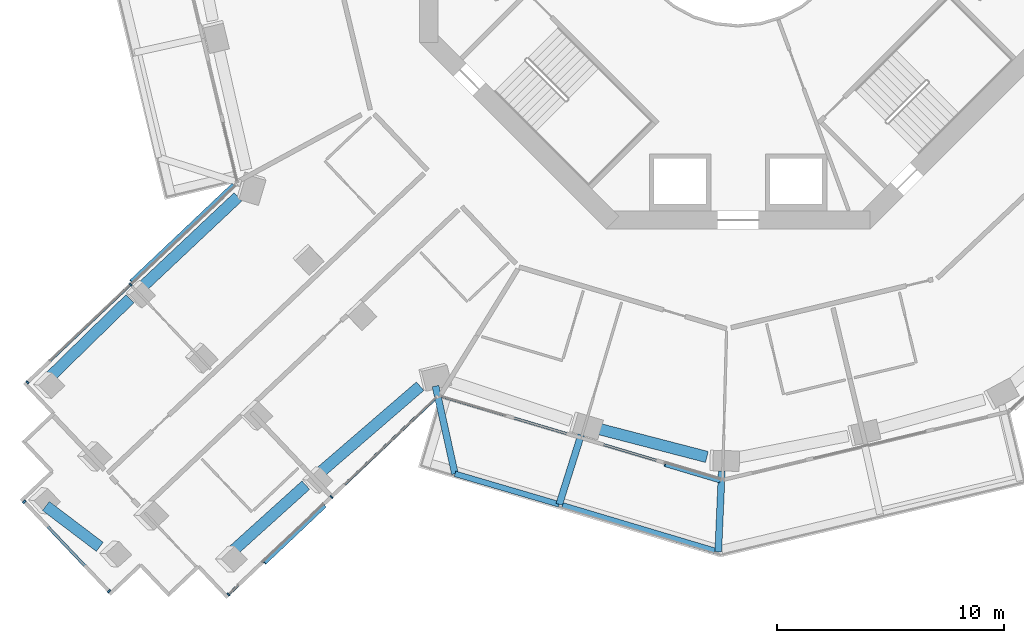
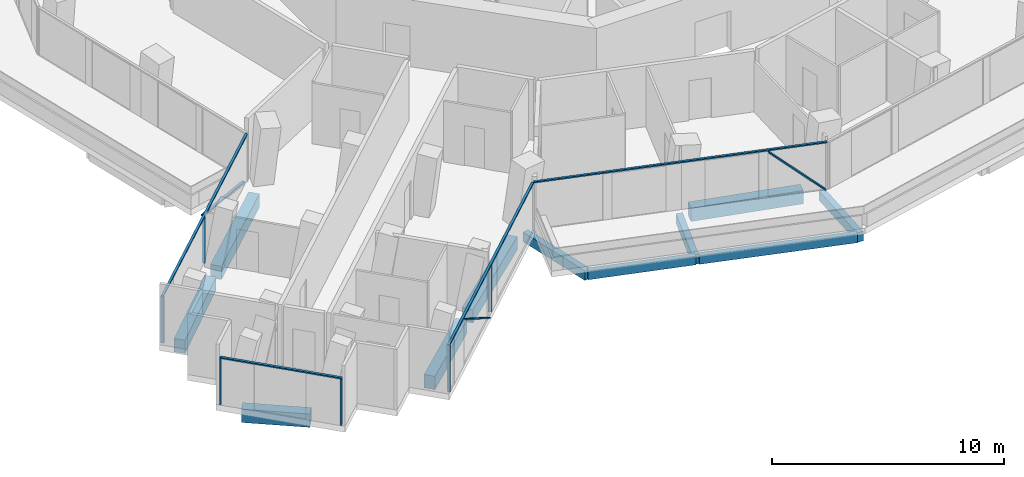
# One storey, part 2 of 27: 13 members, 11 beams, 4 elements without a shape of their own.
"""IFC4 building model written with IfcOpenShell, lengths in metres."""

from ifc_helpers import new_model, si_unit, direction, frame, origin, origin_2d, place, context, subcontext, project, spatial, rectangle, extrude, material, layer, layer_set, material_profile, profile_set, type_object, element, aggregate, save


model = new_model("IFC4")

# Units and contexts
model_context = context("Model", 3, precision=1e-05, world=origin(), true_north=direction((0.0, 1.0)))
body_context = subcontext(model_context, "Body", "Model", "MODEL_VIEW")
ifc_project = project(units=[si_unit("LENGTHUNIT", "METRE"), si_unit("AREAUNIT", "SQUARE_METRE"), si_unit("VOLUMEUNIT", "CUBIC_METRE"), si_unit("PLANEANGLEUNIT", "RADIAN"), si_unit("MASSUNIT", "GRAM", prefix="KILO")], contexts=[model_context])

# Site, building, storey
site_placement = place(None, origin())
site = spatial("IfcSite", under=ifc_project, at=site_placement, CompositionType="ELEMENT")
building_placement = place(site_placement, origin())
building = spatial("IfcBuilding", under=site, at=building_placement, Name="Verdalira Terraces Hotel", CompositionType="ELEMENT")
storey_placement = place(building_placement, frame((0.0, 0.0, 89.5)))
storey = spatial("IfcBuildingStorey", under=building, at=storey_placement, Name="L20", CompositionType="ELEMENT", Elevation=89.5)

# Beams
ifc_material_1 = material(Name="Concrete C40", Category="concrete")
ifc_material_profile_1 = material_profile(ifc_material_1, rectangle(XDim=0.300049, YDim=0.5, at=origin_2d()), Name="RC 300X500")
ifc_profile_set_1 = profile_set([ifc_material_profile_1], Name="Concrete C40")
beam_type_1 = type_object("IfcBeamType", Name="Balcony cantilever beam RC 300X500 C40", PredefinedType="BEAM", material=ifc_profile_set_1)
beam_1_placement = place(storey_placement, frame((-13.297607, -20.897949, -0.560059), z_axis=(0.216151576, -0.976359819, 0.0), x_axis=(0.976359819, 0.216151576, 0.0)))
element("IfcBeam", 1, at=beam_1_placement, inside=storey, type_object=beam_type_1, Name="Balcony cantilever beam R25-3", PredefinedType="BEAM", context=body_context, shape_type="SweptSolid", body=[
    extrude(rectangle(XDim=0.300049, YDim=0.5, at=origin_2d()), origin(), (0.0, 0.0, 1.0), 3.949707),
])
beam_2_placement = place(storey_placement, frame((-6.897705, -23.048096, -0.560059), z_axis=(-0.301062008, -0.953604566, 0.0), x_axis=(0.953604566, -0.301062008, 0.0)))
element("IfcBeam", 2, at=beam_2_placement, inside=storey, type_object=beam_type_1, Name="Balcony cantilever beam R25-4", PredefinedType="BEAM", context=body_context, shape_type="SweptSolid", body=[
    extrude(rectangle(XDim=0.300049, YDim=0.5, at=origin_2d()), origin(), (0.0, 0.0, 1.0), 3.200684),
])
beam_3_placement = place(storey_placement, frame((-0.714355, -24.63208, -0.560059), z_axis=(-0.04393171, -0.999034536, 0.0), x_axis=(0.999034536, -0.04393171, 0.0)))
element("IfcBeam", 3, at=beam_3_placement, inside=storey, type_object=beam_type_1, Name="Balcony cantilever beam R25-5", PredefinedType="BEAM", context=body_context, shape_type="SweptSolid", body=[
    extrude(rectangle(XDim=0.300049, YDim=0.5, at=origin_2d()), origin(), (0.0, 0.0, 1.0), 3.556641),
])
ifc_material_2 = material(Name="Concrete C40", Category="concrete")
ifc_material_profile_2 = material_profile(ifc_material_2, rectangle(XDim=0.25, YDim=0.449951, at=origin_2d()), Name="RC 250X450")
ifc_profile_set_2 = profile_set([ifc_material_profile_2], Name="Concrete C40")
beam_type_2 = type_object("IfcBeamType", Name="Balcony edge beam RC 250X450 C40", PredefinedType="BEAM", material=ifc_profile_set_2)
beam_4_placement = place(storey_placement, frame((-12.443848, -24.754395, -0.534912), z_axis=(0.959470437, -0.281809298, 0.0), x_axis=(0.281809298, 0.959470437, 0.0)))
element("IfcBeam", 4, at=beam_4_placement, inside=storey, type_object=beam_type_2, Name="Balcony edge beam R25-2", PredefinedType="BEAM", context=body_context, shape_type="SweptSolid", body=[
    extrude(rectangle(XDim=0.25, YDim=0.449951, at=origin_2d()), origin(), (0.0, 0.0, 1.0), 4.776123),
])
beam_5_placement = place(storey_placement, frame((-7.717529, -26.143311, -0.534912), z_axis=(0.958290278, -0.285796681, 0.0), x_axis=(0.285796681, 0.958290278, 0.0)))
element("IfcBeam", 5, at=beam_5_placement, inside=storey, type_object=beam_type_2, Name="Balcony edge beam R25-3", PredefinedType="BEAM", context=body_context, shape_type="SweptSolid", body=[
    extrude(rectangle(XDim=0.25, YDim=0.449951, at=origin_2d()), origin(), (0.0, 0.0, 1.0), 6.990234),
])

# Curtain wall, member
ifc_material_3 = material(Name="Clear glass", Category="glass")
ifc_layer_1 = layer(ifc_material_3, 0.14990234375)
ifc_layer_set_1 = layer_set([ifc_layer_1], Name="CW1 curtain wall")
curtain_wall_type_1 = type_object("IfcCurtainWallType", Name="CW1 curtain wall", PredefinedType="NOTDEFINED", material=ifc_layer_set_1)
curtain_wall_1_placement = place(storey_placement, origin())
curtain_wall_1 = element("IfcCurtainWall", 6, at=curtain_wall_1_placement, inside=storey, type_object=curtain_wall_type_1, Name="CW1 curtain wall L20 edge 25", PredefinedType="NOTDEFINED")
ifc_material_4 = material(Name="Terracotta frame", Category="masonry")
ifc_material_profile_3 = material_profile(ifc_material_4, rectangle(XDim=0.110107, YDim=0.064941, at=origin_2d()), Name="TR 65x110")
ifc_profile_set_3 = profile_set([ifc_material_profile_3], Name="Terracotta frame")
member_type_1 = type_object("IfcMemberType", Name="CW1 transom 65x110", PredefinedType="USERDEFINED", material=ifc_profile_set_3)
member_1_placement = place(storey_placement, frame((-13.123047, -21.327637, 2.45752), z_axis=(0.958519805, -0.285025936, 0.0), x_axis=(0.285025936, 0.958519805, 0.0)))
member_1 = element("IfcMember", 7, at=member_1_placement, type_object=member_type_1, Name="CW1 transom", ObjectType="TRANSOM", PredefinedType="USERDEFINED", context=body_context, shape_type="SweptSolid", body=[
    extrude(rectangle(XDim=0.110107, YDim=0.064941, at=origin_2d()), origin(), (0.0, 0.0, 1.0), 12.959717),
])

# Curtain wall, members
ifc_material_5 = material(Name="Clear glass", Category="glass")
ifc_layer_2 = layer(ifc_material_5, 0.14990234375)
ifc_layer_set_2 = layer_set([ifc_layer_2], Name="CW2 curtain wall")
curtain_wall_type_2 = type_object("IfcCurtainWallType", Name="CW2 curtain wall", PredefinedType="NOTDEFINED", material=ifc_layer_set_2)
curtain_wall_2_placement = place(storey_placement, origin())
curtain_wall_2 = element("IfcCurtainWall", 8, at=curtain_wall_2_placement, inside=storey, type_object=curtain_wall_type_2, Name="CW2 curtain wall L20 edge 14", PredefinedType="NOTDEFINED")
ifc_material_6 = material(Name="Terracotta frame", Category="masonry")
ifc_material_profile_4 = material_profile(ifc_material_6, rectangle(XDim=0.070068, YDim=0.149902, at=origin_2d()), Name="MU 70x150")
ifc_profile_set_4 = profile_set([ifc_material_profile_4], Name="Terracotta frame")
member_type_2 = type_object("IfcMemberType", Name="CW2 mullion 70x150", PredefinedType="MULLION", material=ifc_profile_set_4)
member_2_placement = place(storey_placement, frame((-26.702148, -16.4375, 0.0), z_axis=(0.0, 0.0, 1.0), x_axis=(-0.726094816, -0.687594588, 0.0)))
member_2 = element("IfcMember", 9, at=member_2_placement, type_object=member_type_2, Name="CW2 mullion", PredefinedType="MULLION", context=body_context, shape_type="SweptSolid", body=[
    extrude(rectangle(XDim=0.070068, YDim=0.149902, at=origin_2d()), origin(), (0.0, 0.0, 1.0), 2.425049),
])
member_3_placement = place(storey_placement, frame((-31.238281, -20.733398, 0.0), z_axis=(0.0, 0.0, 1.0), x_axis=(-0.726094816, -0.687594588, 0.0)))
member_3 = element("IfcMember", 10, at=member_3_placement, type_object=member_type_2, Name="CW2 mullion", PredefinedType="MULLION", context=body_context, shape_type="SweptSolid", body=[
    extrude(rectangle(XDim=0.070068, YDim=0.149902, at=origin_2d()), origin(), (0.0, 0.0, 1.0), 2.425049),
])

curtain_wall_3_placement = place(storey_placement, origin())
curtain_wall_3 = element("IfcCurtainWall", 11, at=curtain_wall_3_placement, inside=storey, type_object=curtain_wall_type_2, Name="CW2 curtain wall L20 edge 24", PredefinedType="NOTDEFINED")
member_4_placement = place(storey_placement, frame((-22.402832, -30.063721, 0.0), z_axis=(0.0, 0.0, 1.0), x_axis=(0.726094816, 0.687594588, 0.0)))
member_4 = element("IfcMember", 12, at=member_4_placement, type_object=member_type_2, Name="CW2 mullion", PredefinedType="MULLION", context=body_context, shape_type="SweptSolid", body=[
    extrude(rectangle(XDim=0.070068, YDim=0.149902, at=origin_2d()), origin(), (0.0, 0.0, 1.0), 2.425049),
])
member_5_placement = place(storey_placement, frame((-17.866699, -25.767822, 0.0), z_axis=(0.0, 0.0, 1.0), x_axis=(0.726094816, 0.687594588, 0.0)))
member_5 = element("IfcMember", 13, at=member_5_placement, type_object=member_type_2, Name="CW2 mullion", PredefinedType="MULLION", context=body_context, shape_type="SweptSolid", body=[
    extrude(rectangle(XDim=0.070068, YDim=0.149902, at=origin_2d()), origin(), (0.0, 0.0, 1.0), 2.425049),
])

# Member
ifc_material_7 = material(Name="Terracotta frame", Category="masonry")
ifc_material_profile_5 = material_profile(ifc_material_7, rectangle(XDim=0.11499, YDim=0.064941, at=origin_2d()), Name="TR 65x115")
ifc_profile_set_5 = profile_set([ifc_material_profile_5], Name="Terracotta frame")
member_type_3 = type_object("IfcMemberType", Name="CW2 transom 65x115", PredefinedType="USERDEFINED", material=ifc_profile_set_5)
member_6_placement = place(storey_placement, frame((-22.031738, -12.014648, 2.45752), z_axis=(-0.726084866, -0.687605095, 0.0), x_axis=(0.687605095, -0.726084866, 0.0)))
member_6 = element("IfcMember", 14, at=member_6_placement, type_object=member_type_3, Name="CW2 transom", ObjectType="TRANSOM", PredefinedType="USERDEFINED", context=body_context, shape_type="SweptSolid", body=[
    extrude(rectangle(XDim=0.11499, YDim=0.064941, at=origin_2d()), origin(), (0.0, 0.0, 1.0), 12.7146),
])

member_7_placement = place(storey_placement, frame((-22.428223, -30.087646, 2.45752), z_axis=(0.726093945, 0.687595509, 0.0), x_axis=(-0.687595509, 0.726093945, 0.0)))
member_7 = element("IfcMember", 15, at=member_7_placement, type_object=member_type_3, Name="CW2 transom", ObjectType="TRANSOM", PredefinedType="USERDEFINED", context=body_context, shape_type="SweptSolid", body=[
    extrude(rectangle(XDim=0.11499, YDim=0.064941, at=origin_2d()), origin(), (0.0, 0.0, 1.0), 12.714844),
])

# Curtain wall, members
ifc_material_8 = material(Name="Clear glass", Category="glass")
ifc_layer_3 = layer(ifc_material_8, 0.14990234375)
ifc_layer_set_3 = layer_set([ifc_layer_3], Name="CW3 curtain wall")
curtain_wall_type_3 = type_object("IfcCurtainWallType", Name="CW3 curtain wall", PredefinedType="NOTDEFINED", material=ifc_layer_set_3)
curtain_wall_4_placement = place(storey_placement, origin())
curtain_wall_4 = element("IfcCurtainWall", 16, at=curtain_wall_4_placement, inside=storey, type_object=curtain_wall_type_3, Name="CW3 curtain wall L20 edge 19", PredefinedType="NOTDEFINED")
ifc_material_9 = material(Name="Terracotta frame", Category="masonry")
ifc_material_profile_6 = material_profile(ifc_material_9, rectangle(XDim=0.080078, YDim=0.149902, at=origin_2d()), Name="MU 80x150")
ifc_profile_set_6 = profile_set([ifc_material_profile_6], Name="Terracotta frame")
member_type_4 = type_object("IfcMemberType", Name="CW3 mullion 80x150", PredefinedType="MULLION", material=ifc_profile_set_6)
member_8_placement = place(storey_placement, frame((-31.377686, -25.981689, 0.0), z_axis=(0.0, 0.0, 1.0), x_axis=(0.687594588, -0.726094816, 0.0)))
member_8 = element("IfcMember", 17, at=member_8_placement, type_object=member_type_4, Name="CW3 mullion", PredefinedType="MULLION", context=body_context, shape_type="SweptSolid", body=[
    extrude(rectangle(XDim=0.080078, YDim=0.149902, at=origin_2d()), origin(), (0.0, 0.0, 1.0), 2.425049),
])
member_9_placement = place(storey_placement, frame((-27.651123, -29.917236, 0.0), z_axis=(0.0, 0.0, 1.0), x_axis=(0.687594588, -0.726094816, 0.0)))
member_9 = element("IfcMember", 18, at=member_9_placement, type_object=member_type_4, Name="CW3 mullion", PredefinedType="MULLION", context=body_context, shape_type="SweptSolid", body=[
    extrude(rectangle(XDim=0.080078, YDim=0.149902, at=origin_2d()), origin(), (0.0, 0.0, 1.0), 2.425049),
])
ifc_material_10 = material(Name="Terracotta frame", Category="masonry")
ifc_material_profile_7 = material_profile(ifc_material_10, rectangle(XDim=0.120117, YDim=0.064941, at=origin_2d()), Name="TR 65x120")
ifc_profile_set_7 = profile_set([ifc_material_profile_7], Name="Terracotta frame")
member_type_5 = type_object("IfcMemberType", Name="CW3 transom 65x120", PredefinedType="USERDEFINED", material=ifc_profile_set_7)
member_10_placement = place(storey_placement, frame((-31.405273, -25.952637, 2.45752), z_axis=(0.687579647, -0.726108965, 0.0), x_axis=(0.726108965, 0.687579647, 0.0)))
member_10 = element("IfcMember", 19, at=member_10_placement, type_object=member_type_5, Name="CW3 transom", ObjectType="TRANSOM", PredefinedType="USERDEFINED", context=body_context, shape_type="SweptSolid", body=[
    extrude(rectangle(XDim=0.120117, YDim=0.064941, at=origin_2d()), origin(), (0.0, 0.0, 1.0), 5.5),
])
aggregate(curtain_wall_4, [member_8, member_9, member_10])

# Member
ifc_material_11 = material(Name="Terracotta frame", Category="masonry")
ifc_material_profile_8 = material_profile(ifc_material_11, rectangle(XDim=0.149902, YDim=0.060059, at=origin_2d()), Name="GB 60x150")
ifc_profile_set_8 = profile_set([ifc_material_profile_8], Name="Terracotta frame")
member_type_6 = type_object("IfcMemberType", Name="Diagonal glazing bar 60x150", PredefinedType="USERDEFINED", material=ifc_profile_set_8)
member_11_placement = place(storey_placement, frame((-22.199463, -12.04834, 0.028809), z_axis=(-0.67800624, -0.642061429, 0.35786123), x_axis=(0.68759774, -0.726091831, 0.0)))
member_11 = element("IfcMember", 20, at=member_11_placement, type_object=member_type_6, Name="Diagonal glazing bar", ObjectType="GLAZING BAR", PredefinedType="USERDEFINED", context=body_context, shape_type="SweptSolid", body=[
    extrude(rectangle(XDim=0.149902, YDim=0.060059, at=origin_2d()), origin(), (0.0, 0.0, 1.0), 6.615479),
])

aggregate(curtain_wall_2, [member_2, member_3, member_6, member_11])

member_12_placement = place(storey_placement, frame((-20.805908, -28.676758, 2.398682), z_axis=(0.608501117, 0.576217657, -0.545618551), x_axis=(-0.68758296, 0.726105828, 0.0)))
member_12 = element("IfcMember", 21, at=member_12_placement, type_object=member_type_6, Name="Diagonal glazing bar", ObjectType="GLAZING BAR", PredefinedType="USERDEFINED", context=body_context, shape_type="SweptSolid", body=[
    extrude(rectangle(XDim=0.149902, YDim=0.060059, at=origin_2d()), origin(), (0.0, 0.0, 1.0), 4.348389),
])

aggregate(curtain_wall_3, [member_4, member_5, member_7, member_12])

member_13_placement = place(storey_placement, frame((-3.218262, -24.365723, 2.401855), z_axis=(0.69644794, -0.207114986, -0.687068882), x_axis=(0.2850498, 0.958512708, 0.0)))
member_13 = element("IfcMember", 22, at=member_13_placement, type_object=member_type_6, Name="Diagonal glazing bar", ObjectType="GLAZING BAR", PredefinedType="USERDEFINED", context=body_context, shape_type="SweptSolid", body=[
    extrude(rectangle(XDim=0.149902, YDim=0.060059, at=origin_2d()), origin(), (0.0, 0.0, 1.0), 3.462158),
])

aggregate(curtain_wall_1, [member_1, member_13])

# Beams
ifc_material_12 = material(Name="Concrete C70", Category="concrete")
ifc_material_profile_9 = material_profile(ifc_material_12, rectangle(XDim=0.5, YDim=0.699951, at=origin_2d()), Name="RC 500X700")
ifc_profile_set_9 = profile_set([ifc_material_profile_9], Name="Concrete C70")
beam_type_3 = type_object("IfcBeamType", Name="Spandrel beam RC 500X700 C70", PredefinedType="SPANDREL", material=ifc_profile_set_9)
beam_6_placement = place(storey_placement, frame((-21.982422, -12.584229, -0.659912), z_axis=(-0.728339527, -0.685216414, 0.0), x_axis=(0.685216414, -0.728339527, 0.0)))
element("IfcBeam", 23, at=beam_6_placement, inside=storey, type_object=beam_type_3, Name="Spandrel beam B10", PredefinedType="SPANDREL", context=body_context, shape_type="SweptSolid", body=[
    extrude(rectangle(XDim=0.5, YDim=0.699951, at=origin_2d()), origin(), (0.0, 0.0, 1.0), 5.701172),
])
beam_7_placement = place(storey_placement, frame((-26.725342, -17.056885, -0.659912), z_axis=(-0.715129453, -0.698992035, 0.0), x_axis=(0.698992035, -0.715129453, 0.0)))
element("IfcBeam", 24, at=beam_7_placement, inside=storey, type_object=beam_type_3, Name="Spandrel beam B11", PredefinedType="SPANDREL", context=body_context, shape_type="SweptSolid", body=[
    extrude(rectangle(XDim=0.5, YDim=0.699951, at=origin_2d()), origin(), (0.0, 0.0, 1.0), 4.947021),
])
beam_8_placement = place(storey_placement, frame((-30.427002, -26.170654, -0.659912), z_axis=(0.796965193, -0.604025232, 0.0), x_axis=(0.604025232, 0.796965193, 0.0)))
element("IfcBeam", 25, at=beam_8_placement, inside=storey, type_object=beam_type_3, Name="Spandrel beam B12", PredefinedType="SPANDREL", context=body_context, shape_type="SweptSolid", body=[
    extrude(rectangle(XDim=0.5, YDim=0.699951, at=origin_2d()), origin(), (0.0, 0.0, 1.0), 2.973633),
])
beam_9_placement = place(storey_placement, frame((-22.30127, -28.231689, -0.659912), z_axis=(0.742542953, 0.669798449, 0.0), x_axis=(-0.669798449, 0.742542953, 0.0)))
element("IfcBeam", 26, at=beam_9_placement, inside=storey, type_object=beam_type_3, Name="Spandrel beam B13", PredefinedType="SPANDREL", context=body_context, shape_type="SweptSolid", body=[
    extrude(rectangle(XDim=0.5, YDim=0.699951, at=origin_2d()), origin(), (0.0, 0.0, 1.0), 4.446777),
])
beam_10_placement = place(storey_placement, frame((-18.388428, -24.714111, -0.659912), z_axis=(0.7572014, 0.653181475, 0.0), x_axis=(-0.653181475, 0.7572014, 0.0)))
element("IfcBeam", 27, at=beam_10_placement, inside=storey, type_object=beam_type_3, Name="Spandrel beam B14", PredefinedType="SPANDREL", context=body_context, shape_type="SweptSolid", body=[
    extrude(rectangle(XDim=0.5, YDim=0.699951, at=origin_2d()), origin(), (0.0, 0.0, 1.0), 5.830078),
])
beam_11_placement = place(storey_placement, frame((-6.22168, -22.757324, -0.659912), z_axis=(0.967949549, -0.25114472, 0.0), x_axis=(0.25114472, 0.967949549, 0.0)))
element("IfcBeam", 28, at=beam_11_placement, inside=storey, type_object=beam_type_3, Name="Spandrel beam B16", PredefinedType="SPANDREL", context=body_context, shape_type="SweptSolid", body=[
    extrude(rectangle(XDim=0.5, YDim=0.699951, at=origin_2d()), origin(), (0.0, 0.0, 1.0), 5.012207),
])

save(model, "model.ifc")
